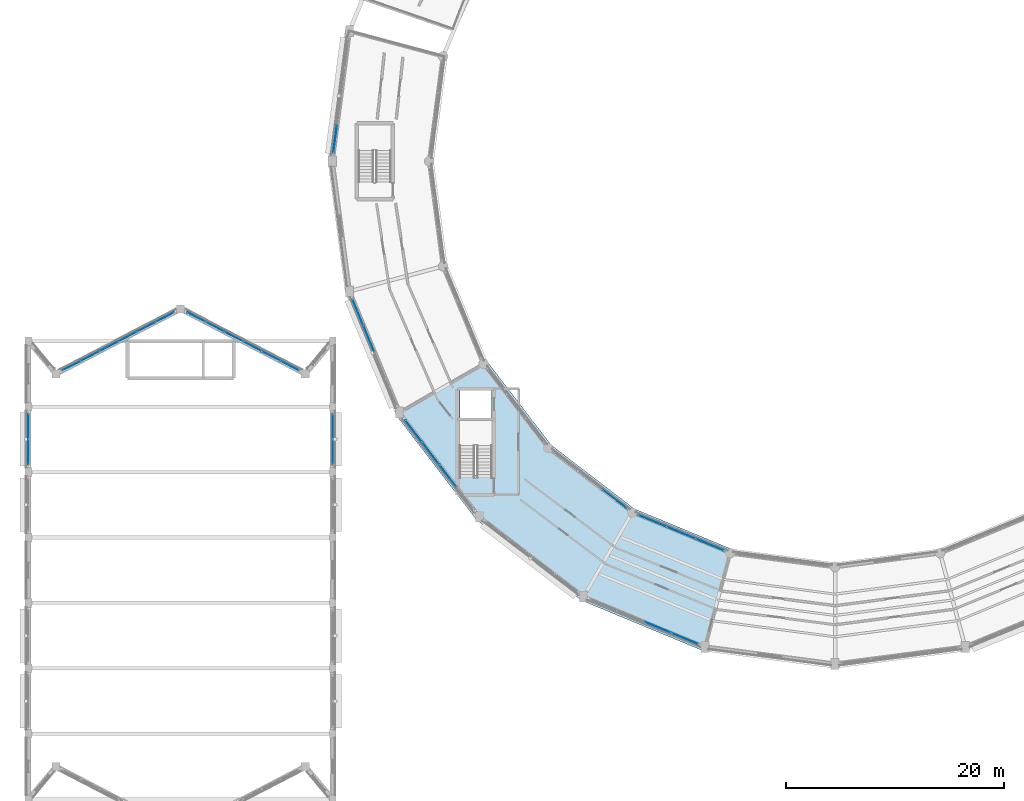
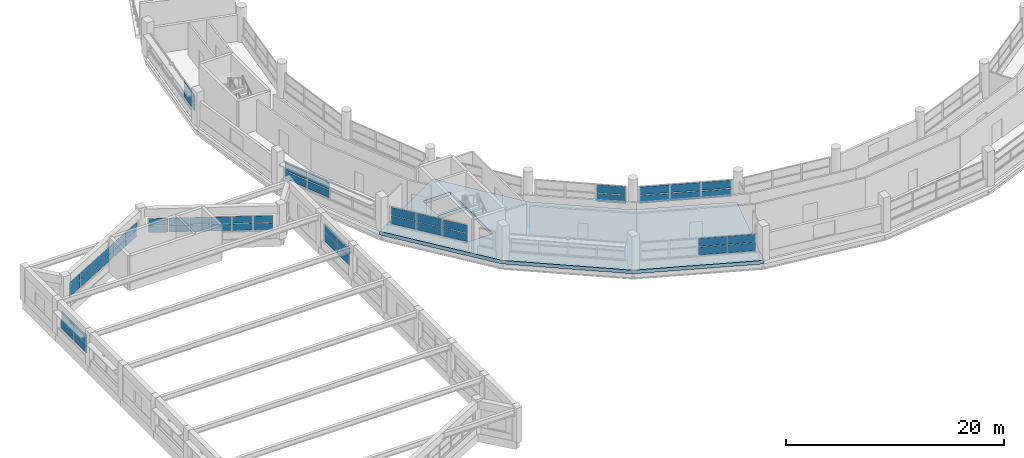
# One storey, part 84 of 108: 56 plates, 1 slab, 10 elements without a shape of their own.
"""IFC4 building model written with IfcOpenShell, lengths in metres."""

import ifcopenshell
import ifcopenshell.guid

model = None  # the IFC model being written
_history = None  # IfcOwnerHistory: only IFC2X3 demands one
_inside = {}  # id of a spatial element -> (the spatial element, [elements in it])
_under = {}  # id of a project, library or spatial element -> (it, [spatial elements below it])
_declared = {}  # id of a project -> (the project, [libraries it declares])
_typed = {}  # id of a type object -> (the type object, [elements of that type])
_made_of = {}  # id of a material, layer set ... -> (it, [elements and type objects made of it])


def new_model(schema):
    """Start an empty IFC model of exactly this schema.

    Asked for "IFC4X3", IfcOpenShell would pick the latest addendum, in which some entities
    have other attributes; the version numbers below select the first issue.
    IFC2X3 requires an IfcOwnerHistory on every rooted entity: one is made here for all.
    """
    global model, _history
    if schema == "IFC4X3":
        model = ifcopenshell.file(schema_version=(4, 3, 0, 0))
    else:
        model = ifcopenshell.file(schema=schema)
    _inside.clear()
    _under.clear()
    _declared.clear()
    _typed.clear()
    _made_of.clear()
    _history = None
    if model.schema == "IFC2X3":
        org = make("IfcOrganization", Name="unknown")
        user = make(
            "IfcPersonAndOrganization",
            ThePerson=make("IfcPerson", FamilyName="unknown"),
            TheOrganization=org,
        )
        app = make(
            "IfcApplication",
            ApplicationDeveloper=org,
            Version="unknown",
            ApplicationFullName="unknown",
            ApplicationIdentifier="unknown",
        )
        _history = make(
            "IfcOwnerHistory",
            OwningUser=user,
            OwningApplication=app,
            ChangeAction="ADDED",
            CreationDate=0,
        )
    return model


def make(cls, **values):
    """One entity of the class cls with the attributes given. An attribute that is None is left unset."""
    return model.create_entity(
        cls, **{name: value for name, value in values.items() if value is not None}
    )


def rooted(cls, **values):
    """An entity with a GlobalId (a new one), such as an element, a storey or a relation."""
    return make(cls, GlobalId=ifcopenshell.guid.new(), OwnerHistory=_history, **values)


def si_unit(unit_type, name, prefix=None):
    """IfcSIUnit, for example si_unit("LENGTHUNIT", "METRE", prefix="MILLI")."""
    return make("IfcSIUnit", UnitType=unit_type, Prefix=prefix, Name=name)


def assignment(units):
    """IfcUnitAssignment: the units of a project."""
    return None if units is None else make("IfcUnitAssignment", Units=units)


def point(xyz):
    """IfcCartesianPoint."""
    return None if xyz is None else make("IfcCartesianPoint", Coordinates=xyz)


def direction(xyz):
    """IfcDirection."""
    return None if xyz is None else make("IfcDirection", DirectionRatios=xyz)


def frame(location, z_axis=None, x_axis=None):
    """IfcAxis2Placement3D, a coordinate frame: its origin and axes. An axis left out is left unset."""
    return make(
        "IfcAxis2Placement3D",
        Location=point(location),
        Axis=direction(z_axis),
        RefDirection=direction(x_axis),
    )


def frame_2d(location, x_axis=None):
    """IfcAxis2Placement2D, a coordinate frame in the plane: its origin and x axis."""
    return make(
        "IfcAxis2Placement2D", Location=point(location), RefDirection=direction(x_axis)
    )


def origin():
    """The frame at (0, 0, 0) with its axes left unset."""
    return frame((0.0, 0.0, 0.0))


def origin_2d():
    """The frame at (0, 0) in the plane with its x axis left unset."""
    return frame_2d((0.0, 0.0))


def place(relative_to, where):
    """IfcLocalPlacement: puts the frame where relative to a parent placement (None: the world)."""
    return make(
        "IfcLocalPlacement", PlacementRelTo=relative_to, RelativePlacement=where
    )


def context(
    kind, dimensions, precision=None, world=None, true_north=None, identifier=None
):
    """IfcGeometricRepresentationContext, for example the 3D "Model" context."""
    return make(
        "IfcGeometricRepresentationContext",
        ContextIdentifier=identifier,
        ContextType=kind,
        CoordinateSpaceDimension=dimensions,
        Precision=precision,
        WorldCoordinateSystem=world,
        TrueNorth=true_north,
    )


def subcontext(parent, identifier, kind, view, scale=None):
    """IfcGeometricRepresentationSubContext, for example "Body" below "Model"."""
    return make(
        "IfcGeometricRepresentationSubContext",
        ContextIdentifier=identifier,
        ContextType=kind,
        ParentContext=parent,
        TargetScale=scale,
        TargetView=view,
    )


def project(units=None, contexts=None):
    """IfcProject with its units and contexts."""
    return rooted(
        "IfcProject",
        Name="project",
        RepresentationContexts=contexts,
        UnitsInContext=assignment(units),
    )


def spatial(cls, under=None, at=None, **own):
    """A site, building, storey or space (cls), placed at a placement, below another one or the project."""
    s = rooted(cls, ObjectPlacement=at, **own)
    if under is not None:
        _under.setdefault(under.id(), (under, []))[1].append(s)
    return s


def polyline(points):
    """IfcPolyline through the points."""
    return make("IfcPolyline", Points=[point(p) for p in points])


def profile(cls, at=None, kind="AREA", **sizes):
    """A parametric profile (cls). Its sizes go by their IFC names, for example OverallWidth=200.0."""
    return make(cls, ProfileType=kind, Position=at, **sizes)


def rectangle(**sizes):
    """IfcRectangleProfileDef."""
    return profile("IfcRectangleProfileDef", **sizes)


def outline(outer, holes=None, kind="AREA"):
    """IfcArbitraryClosedProfileDef: a profile drawn as a closed curve; with holes, ...WithVoids."""
    if holes is None:
        return make("IfcArbitraryClosedProfileDef", ProfileType=kind, OuterCurve=outer)
    return make(
        "IfcArbitraryProfileDefWithVoids",
        ProfileType=kind,
        OuterCurve=outer,
        InnerCurves=holes,
    )


def extrude(swept, where, along, depth):
    """IfcExtrudedAreaSolid: the profile swept, set in the frame where, extruded along a direction by depth."""
    return make(
        "IfcExtrudedAreaSolid",
        SweptArea=swept,
        Position=where,
        ExtrudedDirection=direction(along),
        Depth=depth,
    )


def shape(context_of_items, identifier, shape_type, items):
    """IfcShapeRepresentation: the items that make up one representation, for example the "Body"."""
    return make(
        "IfcShapeRepresentation",
        ContextOfItems=context_of_items,
        RepresentationIdentifier=identifier,
        RepresentationType=shape_type,
        Items=items,
    )


def material(Name=None, Category=None):
    """IfcMaterial."""
    return make("IfcMaterial", Name=Name, Category=Category)


def layer(
    of_material, thickness, ventilated=None, Name=None, Category=None, Priority=None
):
    """IfcMaterialLayer: one layer of a wall or slab, of a material (None: an air gap)."""
    return make(
        "IfcMaterialLayer",
        Material=of_material,
        LayerThickness=thickness,
        IsVentilated=ventilated,
        Name=Name,
        Category=Category,
        Priority=Priority,
    )


def layer_set(layers, Name=None):
    """IfcMaterialLayerSet."""
    return make("IfcMaterialLayerSet", MaterialLayers=layers, LayerSetName=Name)


def made_of(thing, what):
    """Note that an element or type object is made of a material, layer set ...; save() writes the relation."""
    if what is not None:
        _made_of.setdefault(what.id(), (what, []))[1].append(thing)
    return thing


def type_object(cls, material=None, **own):
    """A type object (cls), such as IfcWallType, which elements share."""
    return made_of(rooted(cls, **own), material)


def element(
    cls,
    number,
    at=None,
    inside=None,
    cuts=None,
    type_object=None,
    material=None,
    context=None,
    identifier="Body",
    shape_type=None,
    held_by="IfcProductDefinitionShape",
    body=None,
    shapes=None,
    **own,
):
    """One element of the class cls, such as IfcWall. Its Tag is "e" and its number.

    at: its placement. inside: the storey or other place that contains it. cuts: it is an
    opening in that element (IfcRelVoidsElement). A single representation is given by context,
    identifier, shape_type and body (its items); several are given by shapes. held_by: the class
    of the entity that holds the representations. save() writes the other relations.
    """
    e = rooted(cls, Tag="e%d" % number, ObjectPlacement=at, **own)
    if body is not None:
        shapes = [shape(context, identifier, shape_type, body)]
    if shapes is not None:
        e.Representation = make(held_by, Representations=shapes)
    if inside is not None:
        _inside.setdefault(inside.id(), (inside, []))[1].append(e)
    if cuts is not None:
        rooted(
            "IfcRelVoidsElement", RelatingBuildingElement=cuts, RelatedOpeningElement=e
        )
    if type_object is not None:
        _typed.setdefault(type_object.id(), (type_object, []))[1].append(e)
    return made_of(e, material)


def aggregate(whole, parts):
    """IfcRelAggregates: a whole, such as a stair, and the parts it consists of."""
    return rooted("IfcRelAggregates", RelatingObject=whole, RelatedObjects=parts)


def save(model, path):
    """Write the relations noted so far, then the file.

    IfcRelAggregates (storeys below a building ...), IfcRelContainedInSpatialStructure (elements
    in a storey), IfcRelDefinesByType, IfcRelAssociatesMaterial and IfcRelDeclares: one each for
    every whole, place, type object, material and project.
    """
    for whole, parts in _under.values():
        aggregate(whole, parts)
    for where, things in _inside.values():
        rooted(
            "IfcRelContainedInSpatialStructure",
            RelatedElements=things,
            RelatingStructure=where,
        )
    for kind, things in _typed.values():
        rooted("IfcRelDefinesByType", RelatedObjects=things, RelatingType=kind)
    for what, things in _made_of.values():
        rooted("IfcRelAssociatesMaterial", RelatedObjects=things, RelatingMaterial=what)
    for by, libraries in _declared.values():
        rooted("IfcRelDeclares", RelatingContext=by, RelatedDefinitions=libraries)
    model.write(path)


model = new_model("IFC4")

# Units and contexts
model_context = context("Model", 3, precision=1e-05, world=origin(), true_north=direction((0.0, 1.0)))
body_context = subcontext(model_context, "Body", "Model", "MODEL_VIEW")
ifc_project = project(units=[si_unit("LENGTHUNIT", "METRE"), si_unit("AREAUNIT", "SQUARE_METRE"), si_unit("VOLUMEUNIT", "CUBIC_METRE"), si_unit("PLANEANGLEUNIT", "RADIAN"), si_unit("MASSUNIT", "GRAM", prefix="KILO")], contexts=[model_context])

# Site, building, storey
site_placement = place(None, origin())
site = spatial("IfcSite", under=ifc_project, at=site_placement, CompositionType="ELEMENT")
building_placement = place(site_placement, origin())
building = spatial("IfcBuilding", under=site, at=building_placement, Name="Vespera Passage Community Centre", CompositionType="ELEMENT")
storey_placement = place(building_placement, frame((0.0, 0.0, 12.60009765625)))
storey = spatial("IfcBuildingStorey", under=building, at=storey_placement, Name="L03", CompositionType="ELEMENT", Elevation=12.60009765625)

# Curtain wall, plates
ifc_material_1 = material(Name="Anodized aluminium 6063-T6", Category="aluminium")
ifc_layer_1 = layer(ifc_material_1, 0.159912109375)
ifc_layer_set_1 = layer_set([ifc_layer_1], Name="Anodized aluminium 6063-T6")
curtain_wall_type_1 = type_object("IfcCurtainWallType", Name="CW-38E", PredefinedType="NOTDEFINED", material=ifc_layer_set_1)
curtain_wall_1_placement = place(storey_placement, origin())
curtain_wall_1 = element("IfcCurtainWall", 1, at=curtain_wall_1_placement, inside=storey, type_object=curtain_wall_type_1, Name="V4 L03 Inner Court Curtain Wall 15", PredefinedType="NOTDEFINED")
ifc_material_2 = material(Name="Low-E insulated vision glass", Category="glass")
ifc_layer_2 = layer(ifc_material_2, 0.02001953125)
ifc_layer_set_2 = layer_set([ifc_layer_2], Name="Low-E insulated vision glass")
plate_type_1 = type_object("IfcPlateType", Name="PL-CWP-20E", PredefinedType="CURTAIN_PANEL", material=ifc_layer_set_2)
plate_1_placement = place(storey_placement, frame((57.787353515625, 34.521240234375, 0.8798828125), z_axis=(0.0, 0.0, 1.0), x_axis=(0.793358205999, -0.608755087843, 0.0)))
plate_1 = element("IfcPlate", 2, at=plate_1_placement, type_object=plate_type_1, Name="CW-38E panel 3.1", PredefinedType="CURTAIN_PANEL", context=body_context, shape_type="SweptSolid", body=[
    extrude(rectangle(XDim=2.72900390625, YDim=0.02001953125, at=origin_2d()), origin(), (0.0, 0.0, 1.0), 0.934814453125),
])
plate_2_placement = place(storey_placement, frame((57.787353515625, 34.521240234375, 1.87451171875), z_axis=(0.0, 0.0, 1.0), x_axis=(0.793358205999, -0.608755087843, 0.0)))
plate_2 = element("IfcPlate", 3, at=plate_2_placement, type_object=plate_type_1, Name="CW-38E panel 3.2", PredefinedType="CURTAIN_PANEL", context=body_context, shape_type="SweptSolid", body=[
    extrude(rectangle(XDim=2.72900390625, YDim=0.02001953125, at=origin_2d()), origin(), (0.0, 0.0, 1.0), 0.934814453125),
])
aggregate(curtain_wall_1, [plate_1, plate_2])

ifc_material_3 = material(Name="Anodized aluminium 6063-T6", Category="aluminium")
ifc_layer_3 = layer(ifc_material_3, 0.159912109375)
ifc_layer_set_3 = layer_set([ifc_layer_3], Name="Anodized aluminium 6063-T6")
curtain_wall_type_2 = type_object("IfcCurtainWallType", Name="CW-49E", PredefinedType="NOTDEFINED", material=ifc_layer_set_3)
curtain_wall_2_placement = place(storey_placement, origin())
curtain_wall_2 = element("IfcCurtainWall", 4, at=curtain_wall_2_placement, inside=storey, type_object=curtain_wall_type_2, Name="V4 L03 Outer Ribbon Curtain Wall 13", PredefinedType="NOTDEFINED")
ifc_material_4 = material(Name="Low-E insulated vision glass", Category="glass")
ifc_layer_4 = layer(ifc_material_4, 0.028076171875)
ifc_layer_set_4 = layer_set([ifc_layer_4], Name="Low-E insulated vision glass")
plate_type_2 = type_object("IfcPlateType", Name="PL-CWP-28E", PredefinedType="CURTAIN_PANEL", material=ifc_layer_set_4)
plate_3_placement = place(storey_placement, frame((35.270263671875, 49.224365234375, 0.919921875), z_axis=(0.0, 0.0, 1.0), x_axis=(-0.382679142535, 0.923881309405, 0.0)))
plate_3 = element("IfcPlate", 5, at=plate_3_placement, type_object=plate_type_2, Name="CW-49E panel 3.1", PredefinedType="CURTAIN_PANEL", context=body_context, shape_type="SweptSolid", body=[
    extrude(rectangle(XDim=2.555419921875, YDim=0.028076171875, at=origin_2d()), origin(), (0.0, 0.0, 1.0), 0.832763671875),
])
plate_4_placement = place(storey_placement, frame((35.270263671875, 49.224365234375, 1.8525390625), z_axis=(0.0, 0.0, 1.0), x_axis=(-0.382679142535, 0.923881309405, 0.0)))
plate_4 = element("IfcPlate", 6, at=plate_4_placement, type_object=plate_type_2, Name="CW-49E panel 3.2", PredefinedType="CURTAIN_PANEL", context=body_context, shape_type="SweptSolid", body=[
    extrude(rectangle(XDim=2.555419921875, YDim=0.028076171875, at=origin_2d()), origin(), (0.0, 0.0, 1.0), 0.832763671875),
])
plate_5_placement = place(storey_placement, frame((34.270751953125, 51.63720703125, 0.919921875), z_axis=(0.0, 0.0, 1.0), x_axis=(-0.382679142535, 0.923881309405, 0.0)))
plate_5 = element("IfcPlate", 7, at=plate_5_placement, type_object=plate_type_2, Name="CW-49E panel 4.1", PredefinedType="CURTAIN_PANEL", context=body_context, shape_type="SweptSolid", body=[
    extrude(rectangle(XDim=2.51806640625, YDim=0.028076171875, at=origin_2d()), origin(), (0.0, 0.0, 1.0), 0.832763671875),
])
plate_6_placement = place(storey_placement, frame((34.270751953125, 51.63720703125, 1.8525390625), z_axis=(0.0, 0.0, 1.0), x_axis=(-0.382679142535, 0.923881309405, 0.0)))
plate_6 = element("IfcPlate", 8, at=plate_6_placement, type_object=plate_type_2, Name="CW-49E panel 4.2", PredefinedType="CURTAIN_PANEL", context=body_context, shape_type="SweptSolid", body=[
    extrude(rectangle(XDim=2.51806640625, YDim=0.028076171875, at=origin_2d()), origin(), (0.0, 0.0, 1.0), 0.832763671875),
])
aggregate(curtain_wall_2, [plate_3, plate_4, plate_5, plate_6])

ifc_material_5 = material(Name="Anodized aluminium 6063-T6", Category="aluminium")
ifc_layer_5 = layer(ifc_material_5, 0.159912109375)
ifc_layer_set_5 = layer_set([ifc_layer_5], Name="Anodized aluminium 6063-T6")
curtain_wall_type_3 = type_object("IfcCurtainWallType", Name="CW-39E", PredefinedType="NOTDEFINED", material=ifc_layer_set_5)
curtain_wall_3_placement = place(storey_placement, origin())
curtain_wall_3 = element("IfcCurtainWall", 9, at=curtain_wall_3_placement, inside=storey, type_object=curtain_wall_type_3, Name="V4 L03 Outer Ribbon Curtain Wall 16", PredefinedType="NOTDEFINED")
plate_7_placement = place(storey_placement, frame((64.23095703125, 21.73193359375, 0.8798828125), z_axis=(0.0, 0.0, 1.0), x_axis=(-0.923879738007, 0.382682936255, 0.0)))
plate_7 = element("IfcPlate", 10, at=plate_7_placement, type_object=plate_type_2, Name="CW-39E panel 1.1", PredefinedType="CURTAIN_PANEL", context=body_context, shape_type="SweptSolid", body=[
    extrude(rectangle(XDim=2.585693359375, YDim=0.028076171875, at=origin_2d()), origin(), (0.0, 0.0, 1.0), 0.892822265625),
])
plate_8_placement = place(storey_placement, frame((64.23095703125, 21.73193359375, 1.83251953125), z_axis=(0.0, 0.0, 1.0), x_axis=(-0.923879738007, 0.382682936255, 0.0)))
plate_8 = element("IfcPlate", 11, at=plate_8_placement, type_object=plate_type_2, Name="CW-39E panel 1.2", PredefinedType="CURTAIN_PANEL", context=body_context, shape_type="SweptSolid", body=[
    extrude(rectangle(XDim=2.585693359375, YDim=0.028076171875, at=origin_2d()), origin(), (0.0, 0.0, 1.0), 0.892822265625),
])
plate_9_placement = place(storey_placement, frame((61.755615234375, 22.75732421875, 0.8798828125), z_axis=(0.0, 0.0, 1.0), x_axis=(-0.923879738007, 0.382682936255, 0.0)))
plate_9 = element("IfcPlate", 12, at=plate_9_placement, type_object=plate_type_2, Name="CW-39E panel 2.1", PredefinedType="CURTAIN_PANEL", context=body_context, shape_type="SweptSolid", body=[
    extrude(rectangle(XDim=2.623291015625, YDim=0.028076171875, at=origin_2d()), origin(), (0.0, 0.0, 1.0), 0.892822265625),
])
plate_10_placement = place(storey_placement, frame((61.755615234375, 22.75732421875, 1.83251953125), z_axis=(0.0, 0.0, 1.0), x_axis=(-0.923879738007, 0.382682936255, 0.0)))
plate_10 = element("IfcPlate", 13, at=plate_10_placement, type_object=plate_type_2, Name="CW-39E panel 2.2", PredefinedType="CURTAIN_PANEL", context=body_context, shape_type="SweptSolid", body=[
    extrude(rectangle(XDim=2.623291015625, YDim=0.028076171875, at=origin_2d()), origin(), (0.0, 0.0, 1.0), 0.892822265625),
])
aggregate(curtain_wall_3, [plate_7, plate_8, plate_9, plate_10])

ifc_material_6 = material(Name="Anodized aluminium 6063-T6", Category="aluminium")
ifc_layer_6 = layer(ifc_material_6, 0.159912109375)
ifc_layer_set_6 = layer_set([ifc_layer_6], Name="Anodized aluminium 6063-T6")
curtain_wall_type_4 = type_object("IfcCurtainWallType", Name="CW-40E", PredefinedType="NOTDEFINED", material=ifc_layer_set_6)
curtain_wall_4_placement = place(storey_placement, origin())
curtain_wall_4 = element("IfcCurtainWall", 14, at=curtain_wall_4_placement, inside=storey, type_object=curtain_wall_type_4, Name="V4 L03 Inner Court Curtain Wall 16", PredefinedType="NOTDEFINED")
plate_11_placement = place(storey_placement, frame((61.2451171875, 32.519775390625, 0.919921875), z_axis=(0.0, 0.0, 1.0), x_axis=(0.923876620096, -0.382690463482, 0.0)))
plate_11 = element("IfcPlate", 15, at=plate_11_placement, type_object=plate_type_2, Name="CW-40E panel 1.1", PredefinedType="CURTAIN_PANEL", context=body_context, shape_type="SweptSolid", body=[
    extrude(rectangle(XDim=2.7646484375, YDim=0.028076171875, at=origin_2d()), origin(), (0.0, 0.0, 1.0), 0.874755859375),
])
plate_12_placement = place(storey_placement, frame((61.2451171875, 32.519775390625, 1.89453125), z_axis=(0.0, 0.0, 1.0), x_axis=(0.923876620096, -0.382690463482, 0.0)))
plate_12 = element("IfcPlate", 16, at=plate_12_placement, type_object=plate_type_2, Name="CW-40E panel 1.2", PredefinedType="CURTAIN_PANEL", context=body_context, shape_type="SweptSolid", body=[
    extrude(rectangle(XDim=2.7646484375, YDim=0.028076171875, at=origin_2d()), origin(), (0.0, 0.0, 1.0), 0.874755859375),
])
plate_13_placement = place(storey_placement, frame((63.885986328125, 31.42578125, 0.919921875), z_axis=(0.0, 0.0, 1.0), x_axis=(0.923876620096, -0.382690463482, 0.0)))
plate_13 = element("IfcPlate", 17, at=plate_13_placement, type_object=plate_type_2, Name="CW-40E panel 2.1", PredefinedType="CURTAIN_PANEL", context=body_context, shape_type="SweptSolid", body=[
    extrude(rectangle(XDim=2.80224609375, YDim=0.028076171875, at=origin_2d()), origin(), (0.0, 0.0, 1.0), 0.874755859375),
])
plate_14_placement = place(storey_placement, frame((63.885986328125, 31.42578125, 1.89453125), z_axis=(0.0, 0.0, 1.0), x_axis=(0.923876620096, -0.382690463482, 0.0)))
plate_14 = element("IfcPlate", 18, at=plate_14_placement, type_object=plate_type_2, Name="CW-40E panel 2.2", PredefinedType="CURTAIN_PANEL", context=body_context, shape_type="SweptSolid", body=[
    extrude(rectangle(XDim=2.80224609375, YDim=0.028076171875, at=origin_2d()), origin(), (0.0, 0.0, 1.0), 0.874755859375),
])
plate_15_placement = place(storey_placement, frame((66.52685546875, 30.331787109375, 0.919921875), z_axis=(0.0, 0.0, 1.0), x_axis=(0.923876620096, -0.382690463482, 0.0)))
plate_15 = element("IfcPlate", 19, at=plate_15_placement, type_object=plate_type_2, Name="CW-40E panel 3.1", PredefinedType="CURTAIN_PANEL", context=body_context, shape_type="SweptSolid", body=[
    extrude(rectangle(XDim=2.7646484375, YDim=0.028076171875, at=origin_2d()), origin(), (0.0, 0.0, 1.0), 0.874755859375),
])
plate_16_placement = place(storey_placement, frame((66.52685546875, 30.331787109375, 1.89453125), z_axis=(0.0, 0.0, 1.0), x_axis=(0.923876620096, -0.382690463482, 0.0)))
plate_16 = element("IfcPlate", 20, at=plate_16_placement, type_object=plate_type_2, Name="CW-40E panel 3.2", PredefinedType="CURTAIN_PANEL", context=body_context, shape_type="SweptSolid", body=[
    extrude(rectangle(XDim=2.7646484375, YDim=0.028076171875, at=origin_2d()), origin(), (0.0, 0.0, 1.0), 0.874755859375),
])
aggregate(curtain_wall_4, [plate_11, plate_12, plate_13, plate_14, plate_15, plate_16])

ifc_material_7 = material(Name="Anodized aluminium 6063-T6", Category="aluminium")
ifc_layer_7 = layer(ifc_material_7, 0.159912109375)
ifc_layer_set_7 = layer_set([ifc_layer_7], Name="Anodized aluminium 6063-T6")
curtain_wall_type_5 = type_object("IfcCurtainWallType", Name="CW-88E", PredefinedType="NOTDEFINED", material=ifc_layer_set_7)
curtain_wall_5_placement = place(storey_placement, origin())
curtain_wall_5 = element("IfcCurtainWall", 21, at=curtain_wall_5_placement, inside=storey, type_object=curtain_wall_type_5, Name="V1 L03 N Apse Ribbon Curtain Wall 2", PredefinedType="NOTDEFINED")
plate_17_placement = place(storey_placement, frame((8.01318359375, 46.751220703125, 0.85986328125), z_axis=(0.0, 0.0, 1.0), x_axis=(0.887012747062, 0.46174493668, 0.0)))
plate_17 = element("IfcPlate", 22, at=plate_17_placement, type_object=plate_type_2, Name="CW-88E panel 1.1", PredefinedType="CURTAIN_PANEL", context=body_context, shape_type="SweptSolid", body=[
    extrude(rectangle(XDim=1.822021484375, YDim=0.028076171875, at=origin_2d()), origin(), (0.0, 0.0, 1.0), 0.760009765625),
])
plate_18_placement = place(storey_placement, frame((8.01318359375, 46.751220703125, 1.6796875), z_axis=(0.0, 0.0, 1.0), x_axis=(0.887012747062, 0.46174493668, 0.0)))
plate_18 = element("IfcPlate", 23, at=plate_18_placement, type_object=plate_type_2, Name="CW-88E panel 1.2", PredefinedType="CURTAIN_PANEL", context=body_context, shape_type="SweptSolid", body=[
    extrude(rectangle(XDim=1.822021484375, YDim=0.028076171875, at=origin_2d()), origin(), (0.0, 0.0, 1.0), 0.760009765625),
])
plate_19_placement = place(storey_placement, frame((9.71240234375, 47.6357421875, 0.85986328125), z_axis=(0.0, 0.0, 1.0), x_axis=(0.887012747062, 0.46174493668, 0.0)))
plate_19 = element("IfcPlate", 24, at=plate_19_placement, type_object=plate_type_2, Name="CW-88E panel 2.1", PredefinedType="CURTAIN_PANEL", context=body_context, shape_type="SweptSolid", body=[
    extrude(rectangle(XDim=1.859619140625, YDim=0.028076171875, at=origin_2d()), origin(), (0.0, 0.0, 1.0), 0.760009765625),
])
plate_20_placement = place(storey_placement, frame((9.71240234375, 47.6357421875, 1.6796875), z_axis=(0.0, 0.0, 1.0), x_axis=(0.887012747062, 0.46174493668, 0.0)))
plate_20 = element("IfcPlate", 25, at=plate_20_placement, type_object=plate_type_2, Name="CW-88E panel 2.2", PredefinedType="CURTAIN_PANEL", context=body_context, shape_type="SweptSolid", body=[
    extrude(rectangle(XDim=1.859619140625, YDim=0.028076171875, at=origin_2d()), origin(), (0.0, 0.0, 1.0), 0.760009765625),
])
plate_21_placement = place(storey_placement, frame((11.428466796875, 48.529052734375, 0.85986328125), z_axis=(0.0, 0.0, 1.0), x_axis=(0.887012747062, 0.46174493668, 0.0)))
plate_21 = element("IfcPlate", 26, at=plate_21_placement, type_object=plate_type_2, Name="CW-88E panel 3.1", PredefinedType="CURTAIN_PANEL", context=body_context, shape_type="SweptSolid", body=[
    extrude(rectangle(XDim=1.859619140625, YDim=0.028076171875, at=origin_2d()), origin(), (0.0, 0.0, 1.0), 0.760009765625),
])
plate_22_placement = place(storey_placement, frame((11.428466796875, 48.529052734375, 1.6796875), z_axis=(0.0, 0.0, 1.0), x_axis=(0.887012747062, 0.46174493668, 0.0)))
plate_22 = element("IfcPlate", 27, at=plate_22_placement, type_object=plate_type_2, Name="CW-88E panel 3.2", PredefinedType="CURTAIN_PANEL", context=body_context, shape_type="SweptSolid", body=[
    extrude(rectangle(XDim=1.859619140625, YDim=0.028076171875, at=origin_2d()), origin(), (0.0, 0.0, 1.0), 0.760009765625),
])
plate_23_placement = place(storey_placement, frame((13.144287109375, 49.42236328125, 0.85986328125), z_axis=(0.0, 0.0, 1.0), x_axis=(0.887012747062, 0.46174493668, 0.0)))
plate_23 = element("IfcPlate", 28, at=plate_23_placement, type_object=plate_type_2, Name="CW-88E panel 4.1", PredefinedType="CURTAIN_PANEL", context=body_context, shape_type="SweptSolid", body=[
    extrude(rectangle(XDim=1.859619140625, YDim=0.028076171875, at=origin_2d()), origin(), (0.0, 0.0, 1.0), 0.760009765625),
])
plate_24_placement = place(storey_placement, frame((13.144287109375, 49.42236328125, 1.6796875), z_axis=(0.0, 0.0, 1.0), x_axis=(0.887012747062, 0.46174493668, 0.0)))
plate_24 = element("IfcPlate", 29, at=plate_24_placement, type_object=plate_type_2, Name="CW-88E panel 4.2", PredefinedType="CURTAIN_PANEL", context=body_context, shape_type="SweptSolid", body=[
    extrude(rectangle(XDim=1.859619140625, YDim=0.028076171875, at=origin_2d()), origin(), (0.0, 0.0, 1.0), 0.760009765625),
])
plate_25_placement = place(storey_placement, frame((14.8603515625, 50.315673828125, 0.85986328125), z_axis=(0.0, 0.0, 1.0), x_axis=(0.887012747062, 0.46174493668, 0.0)))
plate_25 = element("IfcPlate", 30, at=plate_25_placement, type_object=plate_type_2, Name="CW-88E panel 5.1", PredefinedType="CURTAIN_PANEL", context=body_context, shape_type="SweptSolid", body=[
    extrude(rectangle(XDim=1.859619140625, YDim=0.028076171875, at=origin_2d()), origin(), (0.0, 0.0, 1.0), 0.760009765625),
])
plate_26_placement = place(storey_placement, frame((14.8603515625, 50.315673828125, 1.6796875), z_axis=(0.0, 0.0, 1.0), x_axis=(0.887012747062, 0.46174493668, 0.0)))
plate_26 = element("IfcPlate", 31, at=plate_26_placement, type_object=plate_type_2, Name="CW-88E panel 5.2", PredefinedType="CURTAIN_PANEL", context=body_context, shape_type="SweptSolid", body=[
    extrude(rectangle(XDim=1.859619140625, YDim=0.028076171875, at=origin_2d()), origin(), (0.0, 0.0, 1.0), 0.760009765625),
])
plate_27_placement = place(storey_placement, frame((16.5595703125, 51.2001953125, 0.85986328125), z_axis=(0.0, 0.0, 1.0), x_axis=(0.887012747062, 0.46174493668, 0.0)))
plate_27 = element("IfcPlate", 32, at=plate_27_placement, type_object=plate_type_2, Name="CW-88E panel 6.1", PredefinedType="CURTAIN_PANEL", context=body_context, shape_type="SweptSolid", body=[
    extrude(rectangle(XDim=1.822021484375, YDim=0.028076171875, at=origin_2d()), origin(), (0.0, 0.0, 1.0), 0.760009765625),
])
plate_28_placement = place(storey_placement, frame((16.5595703125, 51.2001953125, 1.6796875), z_axis=(0.0, 0.0, 1.0), x_axis=(0.887012747062, 0.46174493668, 0.0)))
plate_28 = element("IfcPlate", 33, at=plate_28_placement, type_object=plate_type_2, Name="CW-88E panel 6.2", PredefinedType="CURTAIN_PANEL", context=body_context, shape_type="SweptSolid", body=[
    extrude(rectangle(XDim=1.822021484375, YDim=0.028076171875, at=origin_2d()), origin(), (0.0, 0.0, 1.0), 0.760009765625),
])
aggregate(curtain_wall_5, [plate_17, plate_18, plate_19, plate_20, plate_21, plate_22, plate_23, plate_24, plate_25, plate_26, plate_27, plate_28])

curtain_wall_6_placement = place(storey_placement, origin())
curtain_wall_6 = element("IfcCurtainWall", 34, at=curtain_wall_6_placement, inside=storey, type_object=curtain_wall_type_5, Name="V1 L03 N Apse Ribbon Curtain Wall 3", PredefinedType="NOTDEFINED")
plate_29_placement = place(storey_placement, frame((19.4404296875, 51.2001953125, 0.85986328125), z_axis=(0.0, 0.0, 1.0), x_axis=(0.887012747062, -0.46174493668, 0.0)))
plate_29 = element("IfcPlate", 35, at=plate_29_placement, type_object=plate_type_2, Name="CW-88E panel 1.1", PredefinedType="CURTAIN_PANEL", context=body_context, shape_type="SweptSolid", body=[
    extrude(rectangle(XDim=1.822021484375, YDim=0.028076171875, at=origin_2d()), origin(), (0.0, 0.0, 1.0), 0.760009765625),
])
plate_30_placement = place(storey_placement, frame((19.4404296875, 51.2001953125, 1.6796875), z_axis=(0.0, 0.0, 1.0), x_axis=(0.887012747062, -0.46174493668, 0.0)))
plate_30 = element("IfcPlate", 36, at=plate_30_placement, type_object=plate_type_2, Name="CW-88E panel 1.2", PredefinedType="CURTAIN_PANEL", context=body_context, shape_type="SweptSolid", body=[
    extrude(rectangle(XDim=1.822021484375, YDim=0.028076171875, at=origin_2d()), origin(), (0.0, 0.0, 1.0), 0.760009765625),
])
plate_31_placement = place(storey_placement, frame((21.1396484375, 50.315673828125, 0.85986328125), z_axis=(0.0, 0.0, 1.0), x_axis=(0.887012747062, -0.46174493668, 0.0)))
plate_31 = element("IfcPlate", 37, at=plate_31_placement, type_object=plate_type_2, Name="CW-88E panel 2.1", PredefinedType="CURTAIN_PANEL", context=body_context, shape_type="SweptSolid", body=[
    extrude(rectangle(XDim=1.859619140625, YDim=0.028076171875, at=origin_2d()), origin(), (0.0, 0.0, 1.0), 0.760009765625),
])
plate_32_placement = place(storey_placement, frame((21.1396484375, 50.315673828125, 1.6796875), z_axis=(0.0, 0.0, 1.0), x_axis=(0.887012747062, -0.46174493668, 0.0)))
plate_32 = element("IfcPlate", 38, at=plate_32_placement, type_object=plate_type_2, Name="CW-88E panel 2.2", PredefinedType="CURTAIN_PANEL", context=body_context, shape_type="SweptSolid", body=[
    extrude(rectangle(XDim=1.859619140625, YDim=0.028076171875, at=origin_2d()), origin(), (0.0, 0.0, 1.0), 0.760009765625),
])
plate_33_placement = place(storey_placement, frame((22.855712890625, 49.42236328125, 0.85986328125), z_axis=(0.0, 0.0, 1.0), x_axis=(0.887012747062, -0.46174493668, 0.0)))
plate_33 = element("IfcPlate", 39, at=plate_33_placement, type_object=plate_type_2, Name="CW-88E panel 3.1", PredefinedType="CURTAIN_PANEL", context=body_context, shape_type="SweptSolid", body=[
    extrude(rectangle(XDim=1.859619140625, YDim=0.028076171875, at=origin_2d()), origin(), (0.0, 0.0, 1.0), 0.760009765625),
])
plate_34_placement = place(storey_placement, frame((22.855712890625, 49.42236328125, 1.6796875), z_axis=(0.0, 0.0, 1.0), x_axis=(0.887012747062, -0.46174493668, 0.0)))
plate_34 = element("IfcPlate", 40, at=plate_34_placement, type_object=plate_type_2, Name="CW-88E panel 3.2", PredefinedType="CURTAIN_PANEL", context=body_context, shape_type="SweptSolid", body=[
    extrude(rectangle(XDim=1.859619140625, YDim=0.028076171875, at=origin_2d()), origin(), (0.0, 0.0, 1.0), 0.760009765625),
])
plate_35_placement = place(storey_placement, frame((24.571533203125, 48.529052734375, 0.85986328125), z_axis=(0.0, 0.0, 1.0), x_axis=(0.887012747062, -0.46174493668, 0.0)))
plate_35 = element("IfcPlate", 41, at=plate_35_placement, type_object=plate_type_2, Name="CW-88E panel 4.1", PredefinedType="CURTAIN_PANEL", context=body_context, shape_type="SweptSolid", body=[
    extrude(rectangle(XDim=1.859619140625, YDim=0.028076171875, at=origin_2d()), origin(), (0.0, 0.0, 1.0), 0.760009765625),
])
plate_36_placement = place(storey_placement, frame((24.571533203125, 48.529052734375, 1.6796875), z_axis=(0.0, 0.0, 1.0), x_axis=(0.887012747062, -0.46174493668, 0.0)))
plate_36 = element("IfcPlate", 42, at=plate_36_placement, type_object=plate_type_2, Name="CW-88E panel 4.2", PredefinedType="CURTAIN_PANEL", context=body_context, shape_type="SweptSolid", body=[
    extrude(rectangle(XDim=1.859619140625, YDim=0.028076171875, at=origin_2d()), origin(), (0.0, 0.0, 1.0), 0.760009765625),
])
plate_37_placement = place(storey_placement, frame((26.28759765625, 47.6357421875, 0.85986328125), z_axis=(0.0, 0.0, 1.0), x_axis=(0.887012747062, -0.46174493668, 0.0)))
plate_37 = element("IfcPlate", 43, at=plate_37_placement, type_object=plate_type_2, Name="CW-88E panel 5.1", PredefinedType="CURTAIN_PANEL", context=body_context, shape_type="SweptSolid", body=[
    extrude(rectangle(XDim=1.859619140625, YDim=0.028076171875, at=origin_2d()), origin(), (0.0, 0.0, 1.0), 0.760009765625),
])
plate_38_placement = place(storey_placement, frame((26.28759765625, 47.6357421875, 1.6796875), z_axis=(0.0, 0.0, 1.0), x_axis=(0.887012747062, -0.46174493668, 0.0)))
plate_38 = element("IfcPlate", 44, at=plate_38_placement, type_object=plate_type_2, Name="CW-88E panel 5.2", PredefinedType="CURTAIN_PANEL", context=body_context, shape_type="SweptSolid", body=[
    extrude(rectangle(XDim=1.859619140625, YDim=0.028076171875, at=origin_2d()), origin(), (0.0, 0.0, 1.0), 0.760009765625),
])
plate_39_placement = place(storey_placement, frame((27.98681640625, 46.751220703125, 0.85986328125), z_axis=(0.0, 0.0, 1.0), x_axis=(0.887012747062, -0.46174493668, 0.0)))
plate_39 = element("IfcPlate", 45, at=plate_39_placement, type_object=plate_type_2, Name="CW-88E panel 6.1", PredefinedType="CURTAIN_PANEL", context=body_context, shape_type="SweptSolid", body=[
    extrude(rectangle(XDim=1.822021484375, YDim=0.028076171875, at=origin_2d()), origin(), (0.0, 0.0, 1.0), 0.760009765625),
])
plate_40_placement = place(storey_placement, frame((27.98681640625, 46.751220703125, 1.6796875), z_axis=(0.0, 0.0, 1.0), x_axis=(0.887012747062, -0.46174493668, 0.0)))
plate_40 = element("IfcPlate", 46, at=plate_40_placement, type_object=plate_type_2, Name="CW-88E panel 6.2", PredefinedType="CURTAIN_PANEL", context=body_context, shape_type="SweptSolid", body=[
    extrude(rectangle(XDim=1.822021484375, YDim=0.028076171875, at=origin_2d()), origin(), (0.0, 0.0, 1.0), 0.760009765625),
])
aggregate(curtain_wall_6, [plate_29, plate_30, plate_31, plate_32, plate_33, plate_34, plate_35, plate_36, plate_37, plate_38, plate_39, plate_40])

ifc_material_8 = material(Name="Anodized aluminium 6063-T6", Category="aluminium")
ifc_layer_8 = layer(ifc_material_8, 0.159912109375)
ifc_layer_set_8 = layer_set([ifc_layer_8], Name="Anodized aluminium 6063-T6")
curtain_wall_type_6 = type_object("IfcCurtainWallType", Name="CW-47E", PredefinedType="NOTDEFINED", material=ifc_layer_set_8)
curtain_wall_7_placement = place(storey_placement, origin())
curtain_wall_7 = element("IfcCurtainWall", 47, at=curtain_wall_7_placement, inside=storey, type_object=curtain_wall_type_6, Name="V4 L03 Outer Ribbon Curtain Wall 11", PredefinedType="NOTDEFINED")
ifc_material_9 = material(Name="Acoustic triple-glazed vision glass", Category="glass")
ifc_layer_9 = layer(ifc_material_9, 0.035888671875)
ifc_layer_set_9 = layer_set([ifc_layer_9], Name="Acoustic triple-glazed vision glass")
plate_type_3 = type_object("IfcPlateType", Name="PL-CWP-36E", PredefinedType="CURTAIN_PANEL", material=ifc_layer_set_9)
plate_41_placement = place(storey_placement, frame((32.169189453125, 67.544921875, 0.919921875), z_axis=(0.0, 0.0, 1.0), x_axis=(0.130522869458, 0.991445298818, 0.0)))
plate_41 = element("IfcPlate", 48, at=plate_41_placement, type_object=plate_type_3, Name="CW-47E panel 1.1", PredefinedType="CURTAIN_PANEL", context=body_context, shape_type="SweptSolid", body=[
    extrude(rectangle(XDim=2.536376953125, YDim=0.035888671875, at=origin_2d()), origin(), (0.0, 0.0, 1.0), 0.832763671875),
])
plate_42_placement = place(storey_placement, frame((32.169189453125, 67.544921875, 1.8525390625), z_axis=(0.0, 0.0, 1.0), x_axis=(0.130522869458, 0.991445298818, 0.0)))
plate_42 = element("IfcPlate", 49, at=plate_42_placement, type_object=plate_type_3, Name="CW-47E panel 1.2", PredefinedType="CURTAIN_PANEL", context=body_context, shape_type="SweptSolid", body=[
    extrude(rectangle(XDim=2.536376953125, YDim=0.035888671875, at=origin_2d()), origin(), (0.0, 0.0, 1.0), 0.832763671875),
])
aggregate(curtain_wall_7, [plate_41, plate_42])

ifc_material_10 = material(Name="Anodized aluminium 6063-T6", Category="aluminium")
ifc_layer_10 = layer(ifc_material_10, 0.159912109375)
ifc_layer_set_10 = layer_set([ifc_layer_10], Name="Anodized aluminium 6063-T6")
curtain_wall_type_7 = type_object("IfcCurtainWallType", Name="CW-50E", PredefinedType="NOTDEFINED", material=ifc_layer_set_10)
curtain_wall_8_placement = place(storey_placement, origin())
curtain_wall_8 = element("IfcCurtainWall", 50, at=curtain_wall_8_placement, inside=storey, type_object=curtain_wall_type_7, Name="V4 L03 Outer Ribbon Curtain Wall 14", PredefinedType="NOTDEFINED")
plate_43_placement = place(storey_placement, frame((42.528564453125, 36.6474609375, 0.8798828125), z_axis=(0.0, 0.0, 1.0), x_axis=(-0.608765447029, 0.793350257139, 0.0)))
plate_43 = element("IfcPlate", 51, at=plate_43_placement, type_object=plate_type_3, Name="CW-50E panel 2.1", PredefinedType="CURTAIN_PANEL", context=body_context, shape_type="SweptSolid", body=[
    extrude(rectangle(XDim=2.51806640625, YDim=0.035888671875, at=origin_2d()), origin(), (0.0, 0.0, 1.0), 0.892822265625),
])
plate_44_placement = place(storey_placement, frame((42.528564453125, 36.6474609375, 1.83251953125), z_axis=(0.0, 0.0, 1.0), x_axis=(-0.608765447029, 0.793350257139, 0.0)))
plate_44 = element("IfcPlate", 52, at=plate_44_placement, type_object=plate_type_3, Name="CW-50E panel 2.2", PredefinedType="CURTAIN_PANEL", context=body_context, shape_type="SweptSolid", body=[
    extrude(rectangle(XDim=2.51806640625, YDim=0.035888671875, at=origin_2d()), origin(), (0.0, 0.0, 1.0), 0.892822265625),
])
plate_45_placement = place(storey_placement, frame((40.949951171875, 38.704833984375, 0.8798828125), z_axis=(0.0, 0.0, 1.0), x_axis=(-0.608765447029, 0.793350257139, 0.0)))
plate_45 = element("IfcPlate", 53, at=plate_45_placement, type_object=plate_type_3, Name="CW-50E panel 3.1", PredefinedType="CURTAIN_PANEL", context=body_context, shape_type="SweptSolid", body=[
    extrude(rectangle(XDim=2.51806640625, YDim=0.035888671875, at=origin_2d()), origin(), (0.0, 0.0, 1.0), 0.892822265625),
])
plate_46_placement = place(storey_placement, frame((40.949951171875, 38.704833984375, 1.83251953125), z_axis=(0.0, 0.0, 1.0), x_axis=(-0.608765447029, 0.793350257139, 0.0)))
plate_46 = element("IfcPlate", 54, at=plate_46_placement, type_object=plate_type_3, Name="CW-50E panel 3.2", PredefinedType="CURTAIN_PANEL", context=body_context, shape_type="SweptSolid", body=[
    extrude(rectangle(XDim=2.51806640625, YDim=0.035888671875, at=origin_2d()), origin(), (0.0, 0.0, 1.0), 0.892822265625),
])
plate_47_placement = place(storey_placement, frame((39.3828125, 40.747314453125, 0.8798828125), z_axis=(0.0, 0.0, 1.0), x_axis=(-0.608765447029, 0.793350257139, 0.0)))
plate_47 = element("IfcPlate", 55, at=plate_47_placement, type_object=plate_type_3, Name="CW-50E panel 4.1", PredefinedType="CURTAIN_PANEL", context=body_context, shape_type="SweptSolid", body=[
    extrude(rectangle(XDim=2.480712890625, YDim=0.035888671875, at=origin_2d()), origin(), (0.0, 0.0, 1.0), 0.892822265625),
])
plate_48_placement = place(storey_placement, frame((39.3828125, 40.747314453125, 1.83251953125), z_axis=(0.0, 0.0, 1.0), x_axis=(-0.608765447029, 0.793350257139, 0.0)))
plate_48 = element("IfcPlate", 56, at=plate_48_placement, type_object=plate_type_3, Name="CW-50E panel 4.2", PredefinedType="CURTAIN_PANEL", context=body_context, shape_type="SweptSolid", body=[
    extrude(rectangle(XDim=2.480712890625, YDim=0.035888671875, at=origin_2d()), origin(), (0.0, 0.0, 1.0), 0.892822265625),
])
aggregate(curtain_wall_8, [plate_43, plate_44, plate_45, plate_46, plate_47, plate_48])

ifc_material_11 = material(Name="Anodized aluminium 6063-T6", Category="aluminium")
ifc_layer_11 = layer(ifc_material_11, 0.159912109375)
ifc_layer_set_11 = layer_set([ifc_layer_11], Name="Anodized aluminium 6063-T6")
curtain_wall_type_8 = type_object("IfcCurtainWallType", Name="CW-86E", PredefinedType="NOTDEFINED", material=ifc_layer_set_11)
curtain_wall_9_placement = place(storey_placement, origin())
curtain_wall_9 = element("IfcCurtainWall", 57, at=curtain_wall_9_placement, inside=storey, type_object=curtain_wall_type_8, Name="Main Hall Acoustic Curtain Wall L03 W6", PredefinedType="NOTDEFINED")
plate_49_placement = place(storey_placement, frame((4.050048828125, 38.831298828125, 0.90966796875), z_axis=(0.0, 0.0, 1.0), x_axis=(0.0, 1.0, 0.0)))
plate_49 = element("IfcPlate", 58, at=plate_49_placement, type_object=plate_type_3, Name="CW-86E panel 1.1", PredefinedType="CURTAIN_PANEL", context=body_context, shape_type="SweptSolid", body=[
    extrude(rectangle(XDim=2.262451171875, YDim=0.035888671875, at=origin_2d()), origin(), (0.0, 0.0, 1.0), 0.967529296875),
])
plate_50_placement = place(storey_placement, frame((4.050048828125, 38.831298828125, 1.9375), z_axis=(0.0, 0.0, 1.0), x_axis=(0.0, 1.0, 0.0)))
plate_50 = element("IfcPlate", 59, at=plate_50_placement, type_object=plate_type_3, Name="CW-86E panel 1.2", PredefinedType="CURTAIN_PANEL", context=body_context, shape_type="SweptSolid", body=[
    extrude(rectangle(XDim=2.262451171875, YDim=0.035888671875, at=origin_2d()), origin(), (0.0, 0.0, 1.0), 0.967529296875),
])
plate_51_placement = place(storey_placement, frame((4.050048828125, 41.168701171875, 0.90966796875), z_axis=(0.0, 0.0, 1.0), x_axis=(0.0, 1.0, 0.0)))
plate_51 = element("IfcPlate", 60, at=plate_51_placement, type_object=plate_type_3, Name="CW-86E panel 2.1", PredefinedType="CURTAIN_PANEL", context=body_context, shape_type="SweptSolid", body=[
    extrude(rectangle(XDim=2.262451171875, YDim=0.035888671875, at=origin_2d()), origin(), (0.0, 0.0, 1.0), 0.967529296875),
])
plate_52_placement = place(storey_placement, frame((4.050048828125, 41.168701171875, 1.9375), z_axis=(0.0, 0.0, 1.0), x_axis=(0.0, 1.0, 0.0)))
plate_52 = element("IfcPlate", 61, at=plate_52_placement, type_object=plate_type_3, Name="CW-86E panel 2.2", PredefinedType="CURTAIN_PANEL", context=body_context, shape_type="SweptSolid", body=[
    extrude(rectangle(XDim=2.262451171875, YDim=0.035888671875, at=origin_2d()), origin(), (0.0, 0.0, 1.0), 0.967529296875),
])
aggregate(curtain_wall_9, [plate_49, plate_50, plate_51, plate_52])

curtain_wall_10_placement = place(storey_placement, origin())
curtain_wall_10 = element("IfcCurtainWall", 62, at=curtain_wall_10_placement, inside=storey, type_object=curtain_wall_type_8, Name="Main Hall Acoustic Curtain Wall L03 E6", PredefinedType="NOTDEFINED")
plate_53_placement = place(storey_placement, frame((31.949951171875, 41.168701171875, 0.90966796875), z_axis=(0.0, 0.0, 1.0), x_axis=(0.0, -1.0, 0.0)))
plate_53 = element("IfcPlate", 63, at=plate_53_placement, type_object=plate_type_3, Name="CW-86E panel 1.1", PredefinedType="CURTAIN_PANEL", context=body_context, shape_type="SweptSolid", body=[
    extrude(rectangle(XDim=2.262451171875, YDim=0.035888671875, at=origin_2d()), origin(), (0.0, 0.0, 1.0), 0.967529296875),
])
plate_54_placement = place(storey_placement, frame((31.949951171875, 41.168701171875, 1.9375), z_axis=(0.0, 0.0, 1.0), x_axis=(0.0, -1.0, 0.0)))
plate_54 = element("IfcPlate", 64, at=plate_54_placement, type_object=plate_type_3, Name="CW-86E panel 1.2", PredefinedType="CURTAIN_PANEL", context=body_context, shape_type="SweptSolid", body=[
    extrude(rectangle(XDim=2.262451171875, YDim=0.035888671875, at=origin_2d()), origin(), (0.0, 0.0, 1.0), 0.967529296875),
])
plate_55_placement = place(storey_placement, frame((31.949951171875, 38.831298828125, 0.90966796875), z_axis=(0.0, 0.0, 1.0), x_axis=(0.0, -1.0, 0.0)))
plate_55 = element("IfcPlate", 65, at=plate_55_placement, type_object=plate_type_3, Name="CW-86E panel 2.1", PredefinedType="CURTAIN_PANEL", context=body_context, shape_type="SweptSolid", body=[
    extrude(rectangle(XDim=2.262451171875, YDim=0.035888671875, at=origin_2d()), origin(), (0.0, 0.0, 1.0), 0.967529296875),
])
plate_56_placement = place(storey_placement, frame((31.949951171875, 38.831298828125, 1.9375), z_axis=(0.0, 0.0, 1.0), x_axis=(0.0, -1.0, 0.0)))
plate_56 = element("IfcPlate", 66, at=plate_56_placement, type_object=plate_type_3, Name="CW-86E panel 2.2", PredefinedType="CURTAIN_PANEL", context=body_context, shape_type="SweptSolid", body=[
    extrude(rectangle(XDim=2.262451171875, YDim=0.035888671875, at=origin_2d()), origin(), (0.0, 0.0, 1.0), 0.967529296875),
])
aggregate(curtain_wall_10, [plate_53, plate_54, plate_55, plate_56])

# Slab
ifc_material_12 = material(Name="Concrete f'c 45 MPa", Category="concrete")
ifc_layer_12 = layer(ifc_material_12, 0.39990234375)
ifc_layer_set_12 = layer_set([ifc_layer_12], Name="Concrete f'c 45 MPa")
slab_type = type_object("IfcSlabType", Name="SL-XFER-400", PredefinedType="FLOOR", material=ifc_layer_set_12)
slab_placement = place(storey_placement, frame((0.0, 0.0, -0.400146484375)))
element("IfcSlab", 67, at=slab_placement, inside=storey, type_object=slab_type, Name="V4 L03 Annular Sector 6 Slab", PredefinedType="FLOOR", context=body_context, shape_type="SweptSolid", body=[
    extrude(outline(polyline([(51.978515625, 39.478515625), (59.60009765625, 33.63037109375), (68.4755859375, 29.953857421875), (65.96484375, 20.58447265625), (54.75, 25.229736328125), (45.119384765625, 32.619384765625), (37.729736328125, 42.25), (46.13037109375, 47.10009765625), (51.978515625, 39.478515625)]), holes=[polyline([(43.56103515625, 41.719970703125), (43.56103515625, 36.75), (46.56103515625, 36.75), (46.56103515625, 41.719970703125), (43.56103515625, 41.719970703125)]), polyline([(46.510986328125, 44.4599609375), (43.611083984375, 44.4599609375), (43.611083984375, 41.9599609375), (46.510986328125, 41.9599609375), (46.510986328125, 44.4599609375)])]), origin(), (0.0, 0.0, 1.0), 0.400146484375),
])

save(model, "model.ifc")
